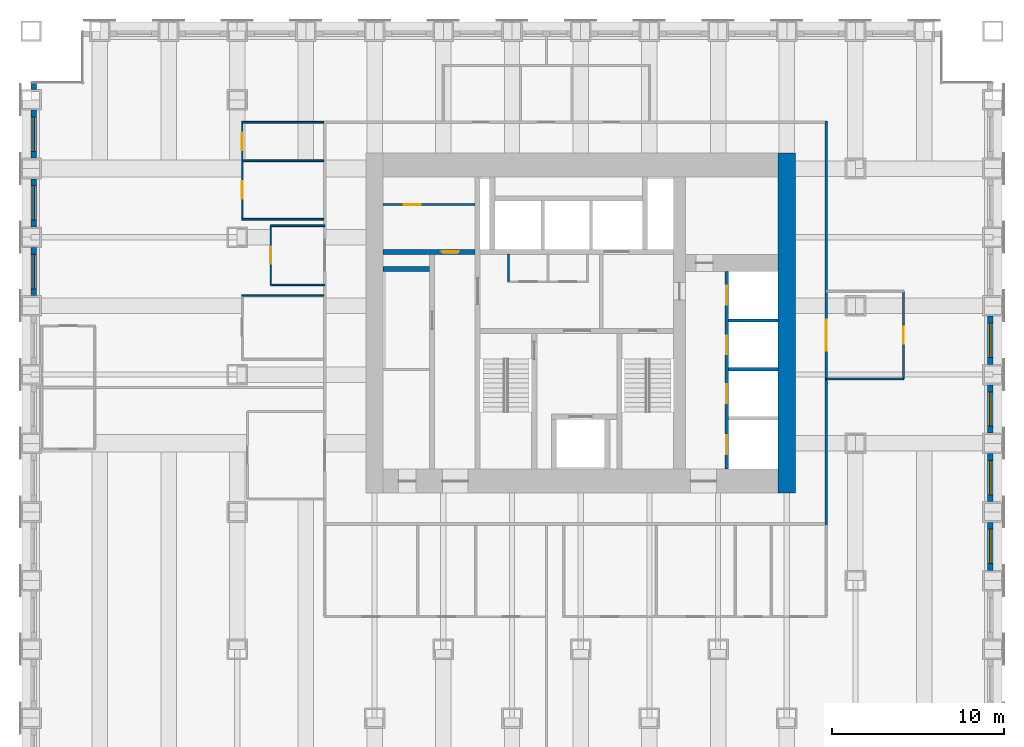
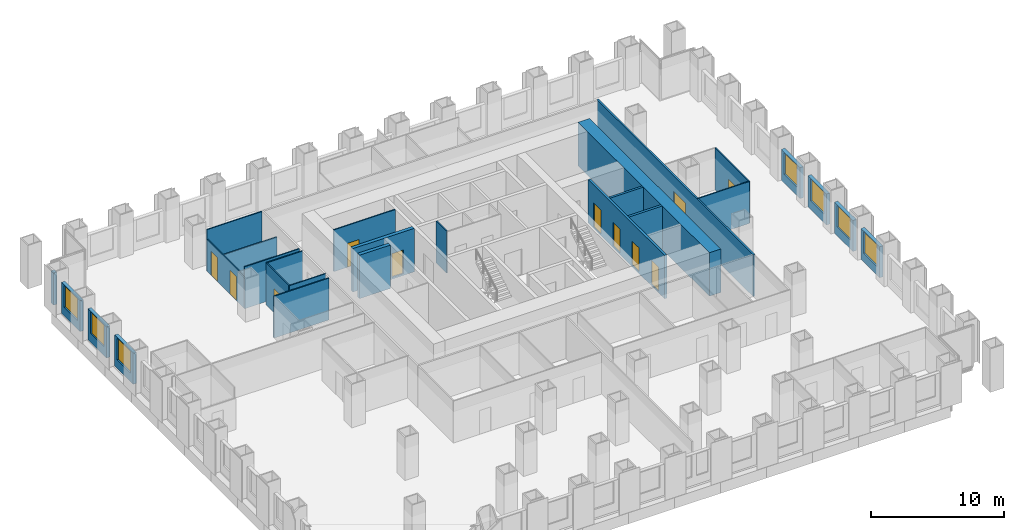
# One storey, part 11 of 15: 27 walls, 11 doors, 7 windows, 18 openings.
"""IFC4 building model written with IfcOpenShell, lengths in metres."""

from ifc_helpers import new_model, si_unit, direction, frame, frame_2d, origin, place, context, subcontext, project, spatial, rectangle, extrude, material, layer, layer_set, type_object, element, fill, save


model = new_model("IFC4")

# Units and contexts
model_context = context("Model", 3, precision=1e-05, world=origin(), true_north=direction((0.0, 1.0)))
body_context = subcontext(model_context, "Body", "Model", "MODEL_VIEW")
ifc_project = project(units=[si_unit("LENGTHUNIT", "METRE"), si_unit("AREAUNIT", "SQUARE_METRE"), si_unit("VOLUMEUNIT", "CUBIC_METRE"), si_unit("PLANEANGLEUNIT", "RADIAN"), si_unit("MASSUNIT", "GRAM", prefix="KILO")], contexts=[model_context])

# Site, building, storey
site_placement = place(None, origin())
site = spatial("IfcSite", under=ifc_project, at=site_placement, CompositionType="ELEMENT")
building_placement = place(site_placement, origin())
building = spatial("IfcBuilding", under=site, at=building_placement, Name="Rimbunsela Tower", CompositionType="ELEMENT")
storey_placement = place(building_placement, frame((0.0, 0.0, 35.0)))
storey = spatial("IfcBuildingStorey", under=building, at=storey_placement, Name="L08", CompositionType="ELEMENT", Elevation=35.0)

# Wall, opening, door
ifc_material_1 = material(Name="Concrete fc' 80 MPa", Category="concrete")
ifc_layer_1 = layer(ifc_material_1, 0.300048828125)
ifc_layer_set_1 = layer_set([ifc_layer_1], Name="Core internal wall 300")
wall_type_1 = type_object("IfcWallType", Name="Core internal wall 300", PredefinedType="SHEAR", material=ifc_layer_set_1)
wall_1_placement = place(storey_placement, frame((18.5, 31.14990234375, -0.14990234375), z_axis=(0.0, 0.0, 1.0), x_axis=(1.0, 0.0, 0.0)))
wall_1 = element("IfcWall", 1, at=wall_1_placement, inside=storey, type_object=wall_type_1, Name="Store wall", PredefinedType="SHEAR", context=body_context, shape_type="SweptSolid", body=[
    extrude(rectangle(XDim=5.35009765625, YDim=0.300048828125, at=frame_2d((2.675048828125, 0.0))), origin(), (0.0, 0.0, 1.0), 4.0),
])
opening_1_placement = place(wall_1_placement, frame((3.39990234375, 0.0, 0.14990234375)))
opening_1 = element("IfcOpeningElement", 2, at=opening_1_placement, cuts=wall_1, Name="Opening D19", PredefinedType="OPENING", context=body_context, shape_type="SweptSolid", body=[
    extrude(rectangle(XDim=1.0, YDim=2.199951171875, at=frame_2d((0.5, 1.10009765625))), frame((0.0, 0.159912109375, 0.0), z_axis=(0.0, -1.0, 0.0), x_axis=(1.0, 0.0, 0.0)), (0.0, 0.0, 1.0), 0.320068359375),
])
ifc_material_2 = material(Name="Steel door, fire rated", Category="steel")
door_type_1 = type_object("IfcDoorType", Name="Service door 1000 fire rated", OperationType="SINGLE_SWING_LEFT", PredefinedType="DOOR", material=ifc_material_2)
door_1_placement = place(opening_1_placement, origin())
door_1 = element("IfcDoor", 3, at=door_1_placement, inside=storey, type_object=door_type_1, Name="Cleaners store door", OperationType="SINGLE_SWING_LEFT", OverallHeight=2.199951171875, OverallWidth=1.0, PredefinedType="DOOR", context=body_context, shape_type="SweptSolid", body=[
    extrude(rectangle(XDim=1.0, YDim=2.199951171875, at=frame_2d((0.5, 1.10009765625))), frame((0.0, 0.02490234375, 0.0), z_axis=(0.0, -1.0, 0.0), x_axis=(1.0, 0.0, 0.0)), (0.0, 0.0, 1.0), 0.050048828125),
])
fill(opening_1, door_1)

# Wall
wall_2_placement = place(storey_placement, frame((18.5, 30.14990234375, -0.14990234375), z_axis=(0.0, 0.0, 1.0), x_axis=(1.0, 0.0, 0.0)))
element("IfcWall", 4, at=wall_2_placement, inside=storey, type_object=wall_type_1, Name="Lift shaft rear west", PredefinedType="SHEAR", context=body_context, shape_type="SweptSolid", body=[
    extrude(rectangle(XDim=2.699951171875, YDim=0.300048828125, at=frame_2d((1.35009765625, 0.0))), origin(), (0.0, 0.0, 1.0), 4.0),
])

# Wall, opening, door
ifc_material_3 = material(Name="Concrete blockwork", Category="masonry")
ifc_layer_2 = layer(ifc_material_3, 0.10009765625)
ifc_layer_set_2 = layer_set([ifc_layer_2], Name="Core room partition 100")
wall_type_2 = type_object("IfcWallType", Name="Core room partition 100", PredefinedType="PARTITIONING", material=ifc_layer_set_2)
wall_3_placement = place(storey_placement, frame((18.5, 33.89990234375, 0.0), z_axis=(0.0, 0.0, 1.0), x_axis=(1.0, 0.0, 0.0)))
wall_3 = element("IfcWall", 5, at=wall_3_placement, inside=storey, type_object=wall_type_2, Name="Equipment store wall", PredefinedType="PARTITIONING", context=body_context, shape_type="SweptSolid", body=[
    extrude(rectangle(XDim=5.35009765625, YDim=0.10009765625, at=frame_2d((2.675048828125, 0.0))), origin(), (0.0, 0.0, 1.0), 3.85009765625),
])
opening_2_placement = place(wall_3_placement, frame((1.199951171875, 0.0, 0.0)))
opening_2 = element("IfcOpeningElement", 6, at=opening_2_placement, cuts=wall_3, Name="Opening D19", PredefinedType="OPENING", context=body_context, shape_type="SweptSolid", body=[
    extrude(rectangle(XDim=1.0, YDim=2.199951171875, at=frame_2d((0.5, 1.10009765625))), frame((0.0, 0.06005859375, 0.0), z_axis=(0.0, -1.0, 0.0), x_axis=(1.0, 0.0, 0.0)), (0.0, 0.0, 1.0), 0.1201171875),
])
door_2_placement = place(opening_2_placement, origin())
door_2 = element("IfcDoor", 7, at=door_2_placement, inside=storey, type_object=door_type_1, Name="Equipment store door", OperationType="SINGLE_SWING_LEFT", OverallHeight=2.199951171875, OverallWidth=1.0, PredefinedType="DOOR", context=body_context, shape_type="SweptSolid", body=[
    extrude(rectangle(XDim=1.0, YDim=2.199951171875, at=frame_2d((0.5, 1.10009765625))), frame((0.0, 0.02490234375, 0.0), z_axis=(0.0, -1.0, 0.0), x_axis=(1.0, 0.0, 0.0)), (0.0, 0.0, 1.0), 0.050048828125),
])
fill(opening_2, door_2)

# Walls
wall_4_placement = place(storey_placement, frame((25.800048828125, 29.449951171875, 0.0), z_axis=(0.0, 0.0, 1.0), x_axis=(0.0, 1.0, 0.0)))
element("IfcWall", 8, at=wall_4_placement, inside=storey, type_object=wall_type_2, Name="Lobby room wall", PredefinedType="PARTITIONING", context=body_context, shape_type="SweptSolid", body=[
    extrude(rectangle(XDim=1.550048828125, YDim=0.10009765625, at=frame_2d((0.77490234375, 0.0))), origin(), (0.0, 0.0, 1.0), 3.85009765625),
])
ifc_material_4 = material(Name="Concrete fc' 80 MPa", Category="concrete")
ifc_layer_3 = layer(ifc_material_4, 1.0)
ifc_layer_set_3 = layer_set([ifc_layer_3], Name="Core wall 1000")
wall_type_3 = type_object("IfcWallType", Name="Core wall 1000", PredefinedType="SHEAR", material=ifc_layer_set_3)
wall_5_placement = place(storey_placement, frame((42.0, 17.10009765625, -0.14990234375), z_axis=(0.0, 0.0, 1.0), x_axis=(0.0, 1.0, 0.0)))
element("IfcWall", 9, at=wall_5_placement, inside=storey, type_object=wall_type_3, Name="Core wall east", PredefinedType="SHEAR", context=body_context, shape_type="SweptSolid", body=[
    extrude(rectangle(XDim=19.7998046875, YDim=1.0, at=frame_2d((9.89990234375, 0.0))), origin(), (0.0, 0.0, 1.0), 4.0),
])

# Wall, openings, doors
ifc_material_5 = material(Name="Concrete blockwork", Category="masonry")
ifc_layer_4 = layer(ifc_material_5, 0.199951171875)
ifc_layer_set_4 = layer_set([ifc_layer_4], Name="Lift shaft wall 200")
wall_type_4 = type_object("IfcWallType", Name="Lift shaft wall 200", PredefinedType="SOLIDWALL", material=ifc_layer_set_4)
wall_6_placement = place(storey_placement, frame((38.5, 18.5, -0.14990234375), z_axis=(0.0, 0.0, 1.0), x_axis=(0.0, 1.0, 0.0)))
wall_6 = element("IfcWall", 10, at=wall_6_placement, inside=storey, type_object=wall_type_4, Name="Lift shaft front east", PredefinedType="SOLIDWALL", context=body_context, shape_type="SweptSolid", body=[
    extrude(rectangle(XDim=11.5, YDim=0.199951171875, at=frame_2d((5.75, 0.0))), origin(), (0.0, 0.0, 1.0), 4.0),
])
opening_3_placement = place(wall_6_placement, frame((0.875, 0.0, 0.14990234375)))
opening_3 = element("IfcOpeningElement", 11, at=opening_3_placement, cuts=wall_6, Name="Opening LD1", PredefinedType="OPENING", context=body_context, shape_type="SweptSolid", body=[
    extrude(rectangle(XDim=1.10009765625, YDim=2.199951171875, at=frame_2d((0.550048828125, 1.10009765625))), frame((0.0, 0.10986328125, 0.0), z_axis=(0.0, -1.0, 0.0), x_axis=(1.0, 0.0, 0.0)), (0.0, 0.0, 1.0), 0.219970703125),
])
opening_4_placement = place(wall_6_placement, frame((3.824951171875, 0.0, 0.14990234375)))
opening_4 = element("IfcOpeningElement", 12, at=opening_4_placement, cuts=wall_6, Name="Opening LD1", PredefinedType="OPENING", context=body_context, shape_type="SweptSolid", body=[
    extrude(rectangle(XDim=1.10009765625, YDim=2.199951171875, at=frame_2d((0.550048828125, 1.10009765625))), frame((0.0, 0.10986328125, 0.0), z_axis=(0.0, -1.0, 0.0), x_axis=(1.0, 0.0, 0.0)), (0.0, 0.0, 1.0), 0.219970703125),
])
opening_5_placement = place(wall_6_placement, frame((6.675048828125, 0.0, 0.14990234375)))
opening_5 = element("IfcOpeningElement", 13, at=opening_5_placement, cuts=wall_6, Name="Opening LD1", PredefinedType="OPENING", context=body_context, shape_type="SweptSolid", body=[
    extrude(rectangle(XDim=1.10009765625, YDim=2.199951171875, at=frame_2d((0.550048828125, 1.10009765625))), frame((0.0, 0.10986328125, 0.0), z_axis=(0.0, -1.0, 0.0), x_axis=(1.0, 0.0, 0.0)), (0.0, 0.0, 1.0), 0.219970703125),
])
opening_6_placement = place(wall_6_placement, frame((9.574951171875, 0.0, 0.14990234375)))
opening_6 = element("IfcOpeningElement", 14, at=opening_6_placement, cuts=wall_6, Name="Opening LD1", PredefinedType="OPENING", context=body_context, shape_type="SweptSolid", body=[
    extrude(rectangle(XDim=1.10009765625, YDim=2.199951171875, at=frame_2d((0.550048828125, 1.10009765625))), frame((0.0, 0.10986328125, 0.0), z_axis=(0.0, -1.0, 0.0), x_axis=(1.0, 0.0, 0.0)), (0.0, 0.0, 1.0), 0.219970703125),
])
ifc_material_6 = material(Name="Steel door, fire rated", Category="steel")
door_type_2 = type_object("IfcDoorType", Name="Lift landing door 1100", OperationType="DOUBLE_DOOR_SLIDING", PredefinedType="DOOR", material=ifc_material_6)
door_3_placement = place(opening_3_placement, origin())
door_3 = element("IfcDoor", 15, at=door_3_placement, inside=storey, type_object=door_type_2, Name="Lift landing door LL1", OperationType="DOUBLE_DOOR_SLIDING", OverallHeight=2.199951171875, OverallWidth=1.10009765625, PredefinedType="DOOR", context=body_context, shape_type="SweptSolid", body=[
    extrude(rectangle(XDim=1.10009765625, YDim=2.199951171875, at=frame_2d((0.550048828125, 1.10009765625))), frame((0.0, 0.02490234375, 0.0), z_axis=(0.0, -1.0, 0.0), x_axis=(1.0, 0.0, 0.0)), (0.0, 0.0, 1.0), 0.050048828125),
])
fill(opening_3, door_3)
door_4_placement = place(opening_4_placement, origin())
door_4 = element("IfcDoor", 16, at=door_4_placement, inside=storey, type_object=door_type_2, Name="Lift landing door LL2", OperationType="DOUBLE_DOOR_SLIDING", OverallHeight=2.199951171875, OverallWidth=1.10009765625, PredefinedType="DOOR", context=body_context, shape_type="SweptSolid", body=[
    extrude(rectangle(XDim=1.10009765625, YDim=2.199951171875, at=frame_2d((0.550048828125, 1.10009765625))), frame((0.0, 0.02490234375, 0.0), z_axis=(0.0, -1.0, 0.0), x_axis=(1.0, 0.0, 0.0)), (0.0, 0.0, 1.0), 0.050048828125),
])
fill(opening_4, door_4)
door_5_placement = place(opening_5_placement, origin())
door_5 = element("IfcDoor", 17, at=door_5_placement, inside=storey, type_object=door_type_2, Name="Lift landing door LL3", OperationType="DOUBLE_DOOR_SLIDING", OverallHeight=2.199951171875, OverallWidth=1.10009765625, PredefinedType="DOOR", context=body_context, shape_type="SweptSolid", body=[
    extrude(rectangle(XDim=1.10009765625, YDim=2.199951171875, at=frame_2d((0.550048828125, 1.10009765625))), frame((0.0, 0.02490234375, 0.0), z_axis=(0.0, -1.0, 0.0), x_axis=(1.0, 0.0, 0.0)), (0.0, 0.0, 1.0), 0.050048828125),
])
fill(opening_5, door_5)
door_6_placement = place(opening_6_placement, origin())
door_6 = element("IfcDoor", 18, at=door_6_placement, inside=storey, type_object=door_type_2, Name="Lift landing door LL4", OperationType="DOUBLE_DOOR_SLIDING", OverallHeight=2.199951171875, OverallWidth=1.10009765625, PredefinedType="DOOR", context=body_context, shape_type="SweptSolid", body=[
    extrude(rectangle(XDim=1.10009765625, YDim=2.199951171875, at=frame_2d((0.550048828125, 1.10009765625))), frame((0.0, 0.02490234375, 0.0), z_axis=(0.0, -1.0, 0.0), x_axis=(1.0, 0.0, 0.0)), (0.0, 0.0, 1.0), 0.050048828125),
])
fill(opening_6, door_6)

# Walls
for number, where, z_axis, x_axis, name in (
    (19, (38.60009765625, 24.300048828125, -0.14990234375), (0.0, 0.0, 1.0), (1.0, 0.0, 0.0), "Lift shaft separation"),
    (20, (38.60009765625, 27.14990234375, -0.14990234375), (0.0, 0.0, 1.0), (1.0, 0.0, 0.0), "Lift shaft separation"),
):
    element("IfcWall", number, at=place(storey_placement, frame(where, z_axis=z_axis, x_axis=x_axis)), inside=storey, type_object=wall_type_4, Name=name, PredefinedType="SOLIDWALL", context=body_context, shape_type="SweptSolid", body=[
        extrude(rectangle(XDim=2.89990234375, YDim=0.199951171875, at=frame_2d((1.449951171875, 0.0))), origin(), (0.0, 0.0, 1.0), 4.0),
    ])
ifc_material_7 = material(Name="Gypsum board on steel studs", Category="steel")
ifc_layer_5 = layer(ifc_material_7, 0.10009765625)
ifc_layer_set_5 = layer_set([ifc_layer_5], Name="Office partition 100")
wall_type_5 = type_object("IfcWallType", Name="Office partition 100", PredefinedType="PARTITIONING", material=ifc_layer_set_5)
for number, where, z_axis, x_axis, name in (
    (21, (10.25, 28.60009765625, 0.0), (0.0, 0.0, 1.0), (1.0, 0.0, 0.0), "Office partition"),
    (22, (10.25, 33.050048828125, 0.0), (0.0, 0.0, 1.0), (1.0, 0.0, 0.0), "Office partition"),
):
    element("IfcWall", number, at=place(storey_placement, frame(where, z_axis=z_axis, x_axis=x_axis)), inside=storey, type_object=wall_type_5, Name=name, PredefinedType="PARTITIONING", context=body_context, shape_type="SweptSolid", body=[
        extrude(rectangle(XDim=4.77490234375, YDim=0.10009765625, at=frame_2d((2.387451171875, 0.0))), origin(), (0.0, 0.0, 1.0), 3.85009765625),
    ])
wall_7_placement = place(storey_placement, frame((10.35009765625, 36.449951171875, 0.0), z_axis=(0.0, 0.0, 1.0), x_axis=(1.0, 0.0, 0.0)))
element("IfcWall", 23, at=wall_7_placement, inside=storey, type_object=wall_type_5, Name="Office partition", PredefinedType="PARTITIONING", context=body_context, shape_type="SweptSolid", body=[
    extrude(rectangle(XDim=4.6748046875, YDim=0.10009765625, at=frame_2d((2.33740234375, 0.0))), origin(), (0.0, 0.0, 1.0), 2.85009765625),
])
wall_8_placement = place(storey_placement, frame((10.25, 38.699951171875, 0.0), z_axis=(0.0, 0.0, 1.0), x_axis=(1.0, 0.0, 0.0)))
element("IfcWall", 24, at=wall_8_placement, inside=storey, type_object=wall_type_5, Name="Office partition", PredefinedType="PARTITIONING", context=body_context, shape_type="SweptSolid", body=[
    extrude(rectangle(XDim=4.77490234375, YDim=0.10009765625, at=frame_2d((2.387451171875, 0.0))), origin(), (0.0, 0.0, 1.0), 3.85009765625),
])

# Wall, openings, doors
wall_9_placement = place(storey_placement, frame((10.300048828125, 33.10009765625, 0.0), z_axis=(0.0, 0.0, 1.0), x_axis=(0.0, 1.0, 0.0)))
wall_9 = element("IfcWall", 25, at=wall_9_placement, inside=storey, type_object=wall_type_5, Name="Office partition", PredefinedType="PARTITIONING", context=body_context, shape_type="SweptSolid", body=[
    extrude(rectangle(XDim=5.5498046875, YDim=0.10009765625, at=frame_2d((2.77490234375, 0.0))), origin(), (0.0, 0.0, 1.0), 2.949951171875),
])
opening_7_placement = place(wall_9_placement, frame((1.14990234375, 0.0, 0.0)))
opening_7 = element("IfcOpeningElement", 26, at=opening_7_placement, cuts=wall_9, Name="Opening D16", PredefinedType="OPENING", context=body_context, shape_type="SweptSolid", body=[
    extrude(rectangle(XDim=1.0, YDim=2.199951171875, at=frame_2d((0.5, 1.10009765625))), frame((0.0, 0.06005859375, 0.0), z_axis=(0.0, -1.0, 0.0), x_axis=(1.0, 0.0, 0.0)), (0.0, 0.0, 1.0), 0.1201171875),
])
opening_8_placement = place(wall_9_placement, frame((3.97509765625, 0.0, 0.0)))
opening_8 = element("IfcOpeningElement", 27, at=opening_8_placement, cuts=wall_9, Name="Opening D16", PredefinedType="OPENING", context=body_context, shape_type="SweptSolid", body=[
    extrude(rectangle(XDim=1.0, YDim=2.199951171875, at=frame_2d((0.5, 1.10009765625))), frame((0.0, 0.06005859375, 0.0), z_axis=(0.0, -1.0, 0.0), x_axis=(1.0, 0.0, 0.0)), (0.0, 0.0, 1.0), 0.1201171875),
])
ifc_material_8 = material(Name="Timber door", Category="wood")
door_type_3 = type_object("IfcDoorType", Name="Office door 1000", OperationType="SINGLE_SWING_LEFT", PredefinedType="DOOR", material=ifc_material_8)
door_7_placement = place(opening_7_placement, origin())
door_7 = element("IfcDoor", 28, at=door_7_placement, inside=storey, type_object=door_type_3, Name="Office door", OperationType="SINGLE_SWING_LEFT", OverallHeight=2.199951171875, OverallWidth=1.0, PredefinedType="DOOR", context=body_context, shape_type="SweptSolid", body=[
    extrude(rectangle(XDim=1.0, YDim=2.199951171875, at=frame_2d((0.5, 1.10009765625))), frame((0.0, 0.02490234375, 0.0), z_axis=(0.0, -1.0, 0.0), x_axis=(1.0, 0.0, 0.0)), (0.0, 0.0, 1.0), 0.050048828125),
])
fill(opening_7, door_7)
door_8_placement = place(opening_8_placement, origin())
door_8 = element("IfcDoor", 29, at=door_8_placement, inside=storey, type_object=door_type_3, Name="Office door", OperationType="SINGLE_SWING_LEFT", OverallHeight=2.199951171875, OverallWidth=1.0, PredefinedType="DOOR", context=body_context, shape_type="SweptSolid", body=[
    extrude(rectangle(XDim=1.0, YDim=2.199951171875, at=frame_2d((0.5, 1.10009765625))), frame((0.0, 0.02490234375, 0.0), z_axis=(0.0, -1.0, 0.0), x_axis=(1.0, 0.0, 0.0)), (0.0, 0.0, 1.0), 0.050048828125),
])
fill(opening_8, door_8)

# Wall
wall_10_placement = place(storey_placement, frame((15.10009765625, 32.675048828125, 0.0), z_axis=(0.0, 0.0, 1.0), x_axis=(-1.0, 0.0, 0.0)))
element("IfcWall", 30, at=wall_10_placement, inside=storey, type_object=wall_type_5, Name="Office partition", PredefinedType="PARTITIONING", context=body_context, shape_type="SweptSolid", body=[
    extrude(rectangle(XDim=3.150146484375, YDim=0.10009765625, at=frame_2d((1.5751953125, 0.0))), origin(), (0.0, 0.0, 1.0), 3.85009765625),
])

# Wall, opening, door
wall_11_placement = place(storey_placement, frame((11.949951171875, 32.675048828125, 0.0), z_axis=(0.0, 0.0, 1.0), x_axis=(0.0, -1.0, 0.0)))
wall_11 = element("IfcWall", 31, at=wall_11_placement, inside=storey, type_object=wall_type_5, Name="Office partition", PredefinedType="PARTITIONING", context=body_context, shape_type="SweptSolid", body=[
    extrude(rectangle(XDim=3.449951171875, YDim=0.10009765625, at=frame_2d((1.72509765625, 0.0))), origin(), (0.0, 0.0, 1.0), 3.85009765625),
])
opening_9_placement = place(wall_11_placement, frame((1.22509765625, 0.0, 0.0)))
opening_9 = element("IfcOpeningElement", 32, at=opening_9_placement, cuts=wall_11, Name="Opening D17", PredefinedType="OPENING", context=body_context, shape_type="SweptSolid", body=[
    extrude(rectangle(XDim=1.0, YDim=2.199951171875, at=frame_2d((0.5, 1.10009765625))), frame((0.0, 0.06005859375, 0.0), z_axis=(0.0, -1.0, 0.0), x_axis=(1.0, 0.0, 0.0)), (0.0, 0.0, 1.0), 0.1201171875),
])
ifc_material_9 = material(Name="Glazed aluminium door", Category="aluminium")
door_type_4 = type_object("IfcDoorType", Name="Meeting room door 1000 glazed", OperationType="SINGLE_SWING_RIGHT", PredefinedType="DOOR", material=ifc_material_9)
door_9_placement = place(opening_9_placement, origin())
door_9 = element("IfcDoor", 33, at=door_9_placement, inside=storey, type_object=door_type_4, Name="Reception door", OperationType="SINGLE_SWING_RIGHT", OverallHeight=2.199951171875, OverallWidth=1.0, PredefinedType="DOOR", context=body_context, shape_type="SweptSolid", body=[
    extrude(rectangle(XDim=1.0, YDim=2.199951171875, at=frame_2d((0.5, 1.10009765625))), frame((0.0, 0.02490234375, 0.0), z_axis=(0.0, -1.0, 0.0), x_axis=(1.0, 0.0, 0.0)), (0.0, 0.0, 1.0), 0.050048828125),
])
fill(opening_9, door_9)

# Walls
wall_12_placement = place(storey_placement, frame((11.949951171875, 29.22509765625, 0.0), z_axis=(0.0, 0.0, 1.0), x_axis=(1.0, 0.0, 0.0)))
element("IfcWall", 34, at=wall_12_placement, inside=storey, type_object=wall_type_5, Name="Office partition", PredefinedType="PARTITIONING", context=body_context, shape_type="SweptSolid", body=[
    extrude(rectangle(XDim=3.150146484375, YDim=0.10009765625, at=frame_2d((1.5751953125, 0.0))), origin(), (0.0, 0.0, 1.0), 3.85009765625),
])
wall_13_placement = place(storey_placement, frame((44.300048828125, 23.75, 0.0), z_axis=(0.0, 0.0, 1.0), x_axis=(1.0, 0.0, 0.0)))
element("IfcWall", 35, at=wall_13_placement, inside=storey, type_object=wall_type_5, Name="Office partition", PredefinedType="PARTITIONING", context=body_context, shape_type="SweptSolid", body=[
    extrude(rectangle(XDim=4.5, YDim=0.10009765625, at=frame_2d((2.25, 0.0))), origin(), (0.0, 0.0, 1.0), 3.85009765625),
])

# Wall, opening, door
wall_14_placement = place(storey_placement, frame((48.800048828125, 23.75, 0.0), z_axis=(0.0, 0.0, 1.0), x_axis=(0.0, 1.0, 0.0)))
wall_14 = element("IfcWall", 36, at=wall_14_placement, inside=storey, type_object=wall_type_5, Name="Office partition", PredefinedType="PARTITIONING", context=body_context, shape_type="SweptSolid", body=[
    extrude(rectangle(XDim=5.10009765625, YDim=0.10009765625, at=frame_2d((2.550048828125, 0.0))), origin(), (0.0, 0.0, 1.0), 3.85009765625),
])
opening_10_placement = place(wall_14_placement, frame((2.050048828125, 0.0, 0.0)))
opening_10 = element("IfcOpeningElement", 37, at=opening_10_placement, cuts=wall_14, Name="Opening D17", PredefinedType="OPENING", context=body_context, shape_type="SweptSolid", body=[
    extrude(rectangle(XDim=1.0, YDim=2.199951171875, at=frame_2d((0.5, 1.10009765625))), frame((0.0, 0.06005859375, 0.0), z_axis=(0.0, -1.0, 0.0), x_axis=(1.0, 0.0, 0.0)), (0.0, 0.0, 1.0), 0.1201171875),
])
door_10_placement = place(opening_10_placement, origin())
door_10 = element("IfcDoor", 38, at=door_10_placement, inside=storey, type_object=door_type_4, Name="Reception door", OperationType="SINGLE_SWING_RIGHT", OverallHeight=2.199951171875, OverallWidth=1.0, PredefinedType="DOOR", context=body_context, shape_type="SweptSolid", body=[
    extrude(rectangle(XDim=1.0, YDim=2.199951171875, at=frame_2d((0.5, 1.10009765625))), frame((0.0, 0.02490234375, 0.0), z_axis=(0.0, -1.0, 0.0), x_axis=(1.0, 0.0, 0.0)), (0.0, 0.0, 1.0), 0.050048828125),
])
fill(opening_10, door_10)

# Wall, opening, window
ifc_material_10 = material(Name="Precast concrete fc' 35 MPa", Category="concrete")
ifc_layer_6 = layer(ifc_material_10, 0.300048828125)
ifc_layer_set_6 = layer_set([ifc_layer_6], Name="Precast concrete fc' 35 MPa")
wall_type_6 = type_object("IfcWallType", Name="Precast facade panel 300", PredefinedType="ELEMENTEDWALL", material=ifc_layer_set_6)
wall_15_placement = place(storey_placement, frame((53.85009765625, 12.60009765625, 0.0), z_axis=(0.0, 0.0, 1.0), x_axis=(0.0, 1.0, 0.0)))
wall_15 = element("IfcWall", 39, at=wall_15_placement, inside=storey, type_object=wall_type_6, Name="Facade panel E L08", PredefinedType="ELEMENTEDWALL", context=body_context, shape_type="SweptSolid", body=[
    extrude(rectangle(XDim=2.7998046875, YDim=0.300048828125, at=frame_2d((1.39990234375, 0.0))), origin(), (0.0, 0.0, 1.0), 2.85009765625),
])
opening_11_placement = place(wall_15_placement, frame((0.39990234375, 0.0, 0.800048828125)))
opening_11 = element("IfcOpeningElement", 40, at=opening_11_placement, cuts=wall_15, Name="Opening W1", PredefinedType="OPENING", context=body_context, shape_type="SweptSolid", body=[
    extrude(rectangle(XDim=2.0, YDim=2.0, at=frame_2d((1.0, 1.0))), frame((0.0, 0.159912109375, 0.0), z_axis=(0.0, -1.0, 0.0), x_axis=(1.0, 0.0, 0.0)), (0.0, 0.0, 1.0), 0.320068359375),
])
ifc_material_11 = material(Name="Clear glass in aluminium frame", Category="aluminium")
window_type = type_object("IfcWindowType", Name="Window W1 2000x2000", PartitioningType="DOUBLE_PANEL_VERTICAL", PredefinedType="WINDOW", material=ifc_material_11)
window_1_placement = place(opening_11_placement, origin())
window_1 = element("IfcWindow", 41, at=window_1_placement, inside=storey, type_object=window_type, Name="Window L08", OverallHeight=2.0, OverallWidth=2.0, PartitioningType="SINGLE_PANEL", PredefinedType="WINDOW", context=body_context, shape_type="SweptSolid", body=[
    extrude(rectangle(XDim=2.0, YDim=2.0, at=frame_2d((1.0, 1.0))), frame((0.0, 0.030029296875, 0.0), z_axis=(0.0, -1.0, 0.0), x_axis=(1.0, 0.0, 0.0)), (0.0, 0.0, 1.0), 0.06005859375),
])
fill(opening_11, window_1)

wall_16_placement = place(storey_placement, frame((53.85009765625, 16.60009765625, 0.0), z_axis=(0.0, 0.0, 1.0), x_axis=(0.0, 1.0, 0.0)))
wall_16 = element("IfcWall", 42, at=wall_16_placement, inside=storey, type_object=wall_type_6, Name="Facade panel E L08", PredefinedType="ELEMENTEDWALL", context=body_context, shape_type="SweptSolid", body=[
    extrude(rectangle(XDim=2.7998046875, YDim=0.300048828125, at=frame_2d((1.39990234375, 0.0))), origin(), (0.0, 0.0, 1.0), 2.85009765625),
])
opening_12_placement = place(wall_16_placement, frame((0.39990234375, 0.0, 0.800048828125)))
opening_12 = element("IfcOpeningElement", 43, at=opening_12_placement, cuts=wall_16, Name="Opening W1", PredefinedType="OPENING", context=body_context, shape_type="SweptSolid", body=[
    extrude(rectangle(XDim=2.0, YDim=2.0, at=frame_2d((1.0, 1.0))), frame((0.0, 0.159912109375, 0.0), z_axis=(0.0, -1.0, 0.0), x_axis=(1.0, 0.0, 0.0)), (0.0, 0.0, 1.0), 0.320068359375),
])
window_2_placement = place(opening_12_placement, origin())
window_2 = element("IfcWindow", 44, at=window_2_placement, inside=storey, type_object=window_type, Name="Window L08", OverallHeight=2.0, OverallWidth=2.0, PartitioningType="SINGLE_PANEL", PredefinedType="WINDOW", context=body_context, shape_type="SweptSolid", body=[
    extrude(rectangle(XDim=2.0, YDim=2.0, at=frame_2d((1.0, 1.0))), frame((0.0, 0.030029296875, 0.0), z_axis=(0.0, -1.0, 0.0), x_axis=(1.0, 0.0, 0.0)), (0.0, 0.0, 1.0), 0.06005859375),
])
fill(opening_12, window_2)

wall_17_placement = place(storey_placement, frame((53.85009765625, 20.60009765625, 0.0), z_axis=(0.0, 0.0, 1.0), x_axis=(0.0, 1.0, 0.0)))
wall_17 = element("IfcWall", 45, at=wall_17_placement, inside=storey, type_object=wall_type_6, Name="Facade panel E L08", PredefinedType="ELEMENTEDWALL", context=body_context, shape_type="SweptSolid", body=[
    extrude(rectangle(XDim=2.7998046875, YDim=0.300048828125, at=frame_2d((1.39990234375, 0.0))), origin(), (0.0, 0.0, 1.0), 2.85009765625),
])
opening_13_placement = place(wall_17_placement, frame((0.39990234375, 0.0, 0.800048828125)))
opening_13 = element("IfcOpeningElement", 46, at=opening_13_placement, cuts=wall_17, Name="Opening W1", PredefinedType="OPENING", context=body_context, shape_type="SweptSolid", body=[
    extrude(rectangle(XDim=2.0, YDim=2.0, at=frame_2d((1.0, 1.0))), frame((0.0, 0.159912109375, 0.0), z_axis=(0.0, -1.0, 0.0), x_axis=(1.0, 0.0, 0.0)), (0.0, 0.0, 1.0), 0.320068359375),
])
window_3_placement = place(opening_13_placement, origin())
window_3 = element("IfcWindow", 47, at=window_3_placement, inside=storey, type_object=window_type, Name="Window L08", OverallHeight=2.0, OverallWidth=2.0, PartitioningType="SINGLE_PANEL", PredefinedType="WINDOW", context=body_context, shape_type="SweptSolid", body=[
    extrude(rectangle(XDim=2.0, YDim=2.0, at=frame_2d((1.0, 1.0))), frame((0.0, 0.030029296875, 0.0), z_axis=(0.0, -1.0, 0.0), x_axis=(1.0, 0.0, 0.0)), (0.0, 0.0, 1.0), 0.06005859375),
])
fill(opening_13, window_3)

wall_18_placement = place(storey_placement, frame((53.85009765625, 24.60009765625, 0.0), z_axis=(0.0, 0.0, 1.0), x_axis=(0.0, 1.0, 0.0)))
wall_18 = element("IfcWall", 48, at=wall_18_placement, inside=storey, type_object=wall_type_6, Name="Facade panel E L08", PredefinedType="ELEMENTEDWALL", context=body_context, shape_type="SweptSolid", body=[
    extrude(rectangle(XDim=2.7998046875, YDim=0.300048828125, at=frame_2d((1.39990234375, 0.0))), origin(), (0.0, 0.0, 1.0), 2.85009765625),
])
opening_14_placement = place(wall_18_placement, frame((0.39990234375, 0.0, 0.800048828125)))
opening_14 = element("IfcOpeningElement", 49, at=opening_14_placement, cuts=wall_18, Name="Opening W1", PredefinedType="OPENING", context=body_context, shape_type="SweptSolid", body=[
    extrude(rectangle(XDim=2.0, YDim=2.0, at=frame_2d((1.0, 1.0))), frame((0.0, 0.159912109375, 0.0), z_axis=(0.0, -1.0, 0.0), x_axis=(1.0, 0.0, 0.0)), (0.0, 0.0, 1.0), 0.320068359375),
])
window_4_placement = place(opening_14_placement, origin())
window_4 = element("IfcWindow", 50, at=window_4_placement, inside=storey, type_object=window_type, Name="Window L08", OverallHeight=2.0, OverallWidth=2.0, PartitioningType="SINGLE_PANEL", PredefinedType="WINDOW", context=body_context, shape_type="SweptSolid", body=[
    extrude(rectangle(XDim=2.0, YDim=2.0, at=frame_2d((1.0, 1.0))), frame((0.0, 0.030029296875, 0.0), z_axis=(0.0, -1.0, 0.0), x_axis=(1.0, 0.0, 0.0)), (0.0, 0.0, 1.0), 0.06005859375),
])
fill(opening_14, window_4)

wall_19_placement = place(storey_placement, frame((-1.85009765625, 31.39990234375, 0.0), z_axis=(0.0, 0.0, 1.0), x_axis=(0.0, -1.0, 0.0)))
wall_19 = element("IfcWall", 51, at=wall_19_placement, inside=storey, type_object=wall_type_6, Name="Facade panel W L08", PredefinedType="ELEMENTEDWALL", context=body_context, shape_type="SweptSolid", body=[
    extrude(rectangle(XDim=2.7998046875, YDim=0.300048828125, at=frame_2d((1.39990234375, 0.0))), origin(), (0.0, 0.0, 1.0), 2.85009765625),
])
opening_15_placement = place(wall_19_placement, frame((0.39990234375, 0.0, 0.800048828125)))
opening_15 = element("IfcOpeningElement", 52, at=opening_15_placement, cuts=wall_19, Name="Opening W1", PredefinedType="OPENING", context=body_context, shape_type="SweptSolid", body=[
    extrude(rectangle(XDim=2.0, YDim=2.0, at=frame_2d((1.0, 1.0))), frame((0.0, 0.159912109375, 0.0), z_axis=(0.0, -1.0, 0.0), x_axis=(1.0, 0.0, 0.0)), (0.0, 0.0, 1.0), 0.320068359375),
])
window_5_placement = place(opening_15_placement, origin())
window_5 = element("IfcWindow", 53, at=window_5_placement, inside=storey, type_object=window_type, Name="Window L08", OverallHeight=2.0, OverallWidth=2.0, PartitioningType="SINGLE_PANEL", PredefinedType="WINDOW", context=body_context, shape_type="SweptSolid", body=[
    extrude(rectangle(XDim=2.0, YDim=2.0, at=frame_2d((1.0, 1.0))), frame((0.0, 0.030029296875, 0.0), z_axis=(0.0, -1.0, 0.0), x_axis=(1.0, 0.0, 0.0)), (0.0, 0.0, 1.0), 0.06005859375),
])
fill(opening_15, window_5)

wall_20_placement = place(storey_placement, frame((-1.85009765625, 35.39990234375, 0.0), z_axis=(0.0, 0.0, 1.0), x_axis=(0.0, -1.0, 0.0)))
wall_20 = element("IfcWall", 54, at=wall_20_placement, inside=storey, type_object=wall_type_6, Name="Facade panel W L08", PredefinedType="ELEMENTEDWALL", context=body_context, shape_type="SweptSolid", body=[
    extrude(rectangle(XDim=2.7998046875, YDim=0.300048828125, at=frame_2d((1.39990234375, 0.0))), origin(), (0.0, 0.0, 1.0), 2.85009765625),
])
opening_16_placement = place(wall_20_placement, frame((0.39990234375, 0.0, 0.800048828125)))
opening_16 = element("IfcOpeningElement", 55, at=opening_16_placement, cuts=wall_20, Name="Opening W1", PredefinedType="OPENING", context=body_context, shape_type="SweptSolid", body=[
    extrude(rectangle(XDim=2.0, YDim=2.0, at=frame_2d((1.0, 1.0))), frame((0.0, 0.159912109375, 0.0), z_axis=(0.0, -1.0, 0.0), x_axis=(1.0, 0.0, 0.0)), (0.0, 0.0, 1.0), 0.320068359375),
])
window_6_placement = place(opening_16_placement, origin())
window_6 = element("IfcWindow", 56, at=window_6_placement, inside=storey, type_object=window_type, Name="Window L08", OverallHeight=2.0, OverallWidth=2.0, PartitioningType="SINGLE_PANEL", PredefinedType="WINDOW", context=body_context, shape_type="SweptSolid", body=[
    extrude(rectangle(XDim=2.0, YDim=2.0, at=frame_2d((1.0, 1.0))), frame((0.0, 0.030029296875, 0.0), z_axis=(0.0, -1.0, 0.0), x_axis=(1.0, 0.0, 0.0)), (0.0, 0.0, 1.0), 0.06005859375),
])
fill(opening_16, window_6)

wall_21_placement = place(storey_placement, frame((-1.85009765625, 39.39990234375, 0.0), z_axis=(0.0, 0.0, 1.0), x_axis=(0.0, -1.0, 0.0)))
wall_21 = element("IfcWall", 57, at=wall_21_placement, inside=storey, type_object=wall_type_6, Name="Facade panel W L08", PredefinedType="ELEMENTEDWALL", context=body_context, shape_type="SweptSolid", body=[
    extrude(rectangle(XDim=2.7998046875, YDim=0.300048828125, at=frame_2d((1.39990234375, 0.0))), origin(), (0.0, 0.0, 1.0), 2.85009765625),
])
opening_17_placement = place(wall_21_placement, frame((0.39990234375, 0.0, 0.800048828125)))
opening_17 = element("IfcOpeningElement", 58, at=opening_17_placement, cuts=wall_21, Name="Opening W1", PredefinedType="OPENING", context=body_context, shape_type="SweptSolid", body=[
    extrude(rectangle(XDim=2.0, YDim=2.0, at=frame_2d((1.0, 1.0))), frame((0.0, 0.159912109375, 0.0), z_axis=(0.0, -1.0, 0.0), x_axis=(1.0, 0.0, 0.0)), (0.0, 0.0, 1.0), 0.320068359375),
])
window_7_placement = place(opening_17_placement, origin())
window_7 = element("IfcWindow", 59, at=window_7_placement, inside=storey, type_object=window_type, Name="Window L08", OverallHeight=2.0, OverallWidth=2.0, PartitioningType="SINGLE_PANEL", PredefinedType="WINDOW", context=body_context, shape_type="SweptSolid", body=[
    extrude(rectangle(XDim=2.0, YDim=2.0, at=frame_2d((1.0, 1.0))), frame((0.0, 0.030029296875, 0.0), z_axis=(0.0, -1.0, 0.0), x_axis=(1.0, 0.0, 0.0)), (0.0, 0.0, 1.0), 0.06005859375),
])
fill(opening_17, window_7)

# Wall
wall_22_placement = place(storey_placement, frame((-1.85009765625, 40.969970703125, 0.0), z_axis=(0.0, 0.0, 1.0), x_axis=(0.0, -1.0, 0.0)))
element("IfcWall", 60, at=wall_22_placement, inside=storey, type_object=wall_type_6, Name="Facade panel W L08", PredefinedType="ELEMENTEDWALL", context=body_context, shape_type="SweptSolid", body=[
    extrude(rectangle(XDim=0.369873046875, YDim=0.300048828125, at=frame_2d((0.18505859375, 0.0))), origin(), (0.0, 0.0, 1.0), 2.949951171875),
])

# Wall, opening, door
ifc_material_12 = material(Name="Fire-rated gypsum board on steel studs, EI 60", Category="steel")
ifc_layer_7 = layer(ifc_material_12, 0.14990234375)
ifc_layer_set_7 = layer_set([ifc_layer_7], Name="Rated corridor wall 150")
wall_type_7 = type_object("IfcWallType", Name="Rated corridor wall 150", PredefinedType="PARTITIONING", material=ifc_layer_set_7)
wall_23_placement = place(storey_placement, frame((44.300048828125, 15.22509765625, 0.0), z_axis=(0.0, 0.0, 1.0), x_axis=(0.0, 1.0, 0.0)))
wall_23 = element("IfcWall", 61, at=wall_23_placement, inside=storey, type_object=wall_type_7, Name="Corridor wall east", PredefinedType="PARTITIONING", context=body_context, shape_type="SweptSolid", body=[
    extrude(rectangle(XDim=23.5498046875, YDim=0.14990234375, at=frame_2d((11.77490234375, 0.0))), origin(), (0.0, 0.0, 1.0), 3.85009765625),
])
opening_18_placement = place(wall_23_placement, frame((10.175048828125, 0.0, 0.0)))
opening_18 = element("IfcOpeningElement", 62, at=opening_18_placement, cuts=wall_23, Name="Opening D09", PredefinedType="OPENING", context=body_context, shape_type="SweptSolid", body=[
    extrude(rectangle(XDim=1.800048828125, YDim=2.39990234375, at=frame_2d((0.89990234375, 1.199951171875))), frame((0.0, 0.0849609375, 0.0), z_axis=(0.0, -1.0, 0.0), x_axis=(1.0, 0.0, 0.0)), (0.0, 0.0, 1.0), 0.169921875),
])
ifc_material_13 = material(Name="Glazed aluminium door, fire rated", Category="aluminium")
door_type_5 = type_object("IfcDoorType", Name="Tenancy door 1800 glazed", OperationType="DOUBLE_DOOR_DOUBLE_SWING", PredefinedType="DOOR", material=ifc_material_13)
door_11_placement = place(opening_18_placement, origin())
door_11 = element("IfcDoor", 63, at=door_11_placement, inside=storey, type_object=door_type_5, Name="Tenancy door", OperationType="DOUBLE_DOOR_DOUBLE_SWING", OverallHeight=2.39990234375, OverallWidth=1.800048828125, PredefinedType="DOOR", context=body_context, shape_type="SweptSolid", body=[
    extrude(rectangle(XDim=1.800048828125, YDim=2.39990234375, at=frame_2d((0.89990234375, 1.199951171875))), frame((0.0, 0.02490234375, 0.0), z_axis=(0.0, -1.0, 0.0), x_axis=(1.0, 0.0, 0.0)), (0.0, 0.0, 1.0), 0.050048828125),
])
fill(opening_18, door_11)

save(model, "model.ifc")
